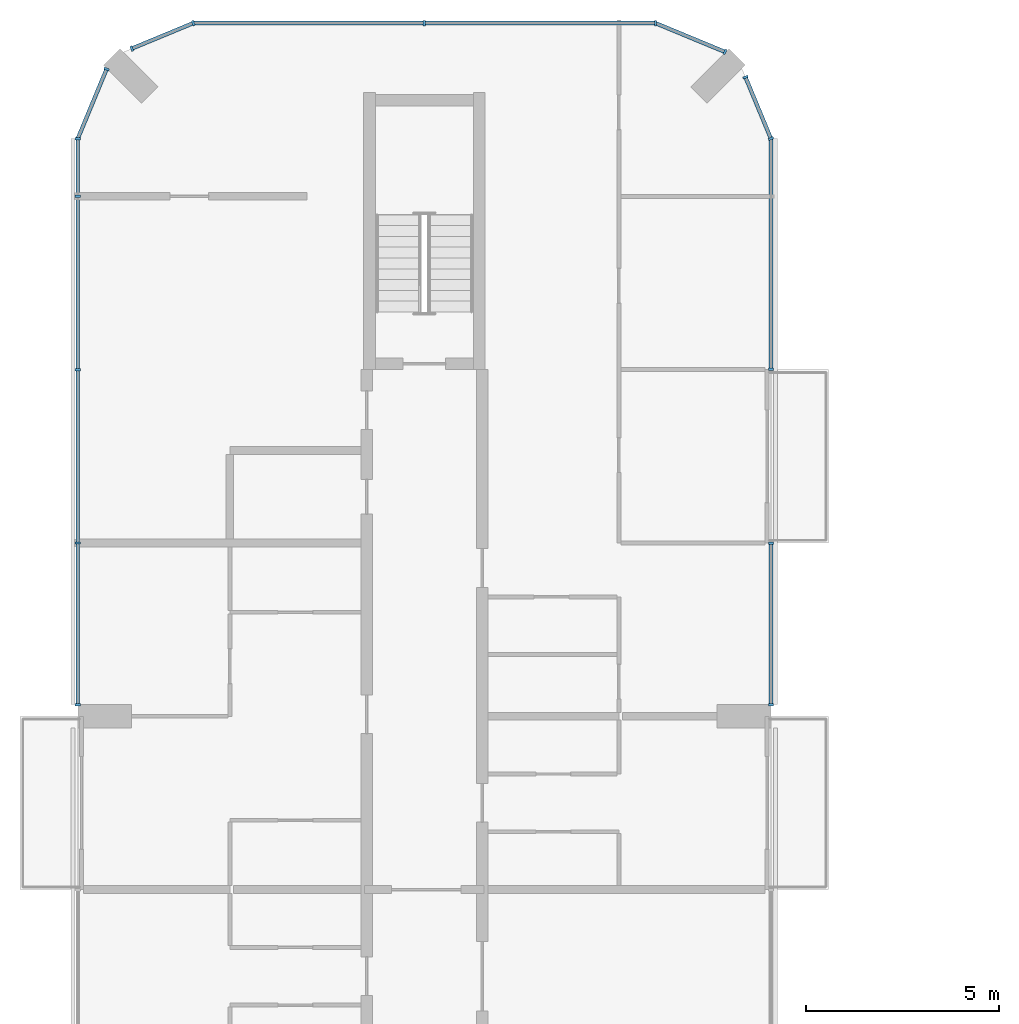
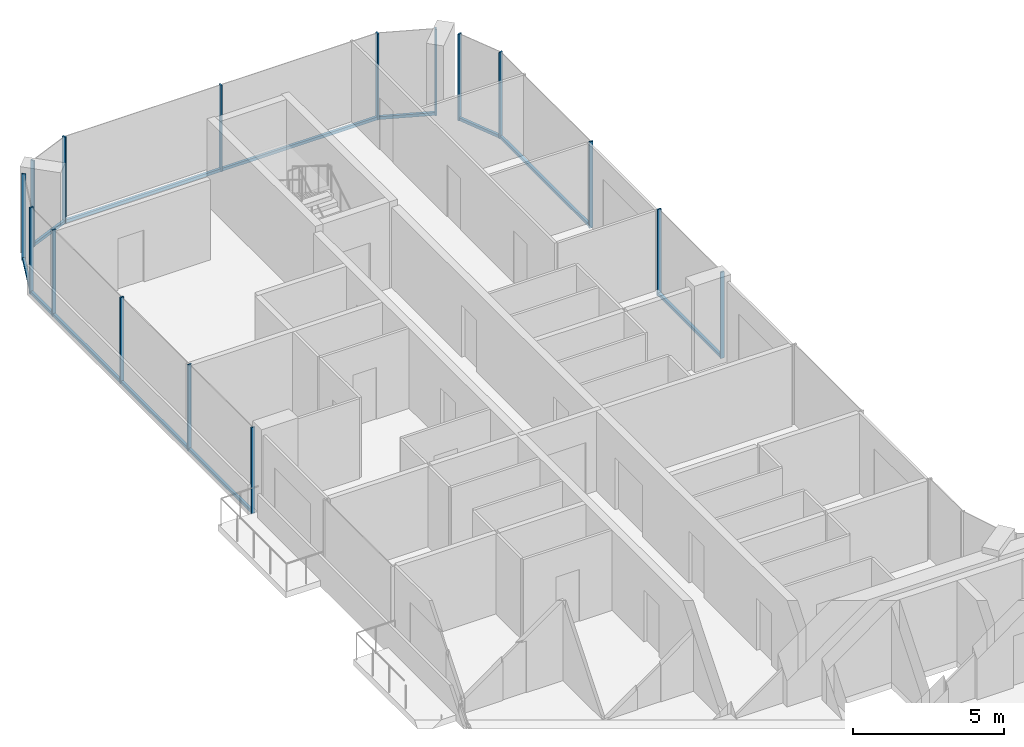
# One storey, part 7 of 17: 24 members, 8 elements without a shape of their own.
"""IFC4 building model written with IfcOpenShell, lengths in metres."""

from ifc_helpers import new_model, si_unit, direction, frame, origin, origin_2d, place, context, subcontext, project, spatial, rectangle, extrude, material, layer, layer_set, material_profile, profile_set, type_object, element, aggregate, save


model = new_model("IFC4")

# Units and contexts
model_context = context("Model", 3, precision=1e-05, world=origin(), true_north=direction((0.0, 1.0)))
body_context = subcontext(model_context, "Body", "Model", "MODEL_VIEW")
ifc_project = project(units=[si_unit("LENGTHUNIT", "METRE"), si_unit("AREAUNIT", "SQUARE_METRE"), si_unit("VOLUMEUNIT", "CUBIC_METRE"), si_unit("PLANEANGLEUNIT", "RADIAN"), si_unit("MASSUNIT", "GRAM", prefix="KILO")], contexts=[model_context])

# Site, building, storey
site_placement = place(None, origin())
site = spatial("IfcSite", under=ifc_project, at=site_placement, CompositionType="ELEMENT")
building_placement = place(site_placement, origin())
building = spatial("IfcBuilding", under=site, at=building_placement, Name="Plateau Cross Towers", CompositionType="ELEMENT")
storey_placement = place(building_placement, frame((0.0, 0.0, 142.89990234375)))
storey = spatial("IfcBuildingStorey", under=building, at=storey_placement, Name="L36", CompositionType="ELEMENT", Elevation=142.89990234375)

# Curtain wall, members
ifc_material_1 = material(Name="Dark low-iron glass", Category="glass")
ifc_layer = layer(ifc_material_1, 0.239990234375)
ifc_layer_set = layer_set([ifc_layer], Name="Dark low-iron glass")
curtain_wall_type = type_object("IfcCurtainWallType", Name="Curtain wall flush unitised CW-B", PredefinedType="NOTDEFINED", material=ifc_layer_set)
curtain_wall_1_placement = place(storey_placement, origin())
curtain_wall_1 = element("IfcCurtainWall", 1, at=curtain_wall_1_placement, inside=storey, type_object=curtain_wall_type, Name="ENV/A/L36/A180_363", PredefinedType="NOTDEFINED")
ifc_material_2 = material(Name="Black anodised aluminium", Category="aluminium")
ifc_material_profile_1 = material_profile(ifc_material_2, rectangle(XDim=0.06005859375, YDim=0.139892578125, at=origin_2d()), Name="MULLION 60x140")
ifc_profile_set_1 = profile_set([ifc_material_profile_1], Name="Black anodised aluminium")
member_type_1 = type_object("IfcMemberType", Name="Mullion 60x140 flush unitised", PredefinedType="MULLION", material=ifc_profile_set_1)
member_1_placement = place(storey_placement, frame((18.0, 36.300048828125, -0.25), z_axis=(0.0, 0.0, 1.0), x_axis=(0.0, 1.0, 0.0)))
member_1 = element("IfcMember", 2, at=member_1_placement, type_object=member_type_1, Name="CW-B mullion 1", PredefinedType="MULLION", context=body_context, shape_type="SweptSolid", body=[
    extrude(rectangle(XDim=0.06005859375, YDim=0.139892578125, at=origin_2d()), origin(), (0.0, 0.0, 1.0), 3.5),
])
member_2_placement = place(storey_placement, frame((18.0, 40.489990234375, -0.25), z_axis=(0.0, 0.0, 1.0), x_axis=(0.0, 1.0, 0.0)))
member_2 = element("IfcMember", 3, at=member_2_placement, type_object=member_type_1, Name="CW-B mullion 2", PredefinedType="MULLION", context=body_context, shape_type="SweptSolid", body=[
    extrude(rectangle(XDim=0.06005859375, YDim=0.139892578125, at=origin_2d()), origin(), (0.0, 0.0, 1.0), 3.5),
])

# Curtain wall, member
curtain_wall_2_placement = place(storey_placement, origin())
curtain_wall_2 = element("IfcCurtainWall", 4, at=curtain_wall_2_placement, inside=storey, type_object=curtain_wall_type, Name="ENV/A/L36/A180_450", PredefinedType="NOTDEFINED")
member_3_placement = place(storey_placement, frame((18.0, 45.010009765625, -0.25), z_axis=(0.0, 0.0, 1.0), x_axis=(0.0, 1.0, 0.0)))
member_3 = element("IfcMember", 5, at=member_3_placement, type_object=member_type_1, Name="CW-B mullion 1", PredefinedType="MULLION", context=body_context, shape_type="SweptSolid", body=[
    extrude(rectangle(XDim=0.06005859375, YDim=0.139892578125, at=origin_2d()), origin(), (0.0, 0.0, 1.0), 3.5),
])

# Curtain wall, members
curtain_wall_3_placement = place(storey_placement, origin())
curtain_wall_3 = element("IfcCurtainWall", 6, at=curtain_wall_3_placement, inside=storey, type_object=curtain_wall_type, Name="ENV/A/L36/A180_510", PredefinedType="NOTDEFINED")
member_4_placement = place(storey_placement, frame((18.0, 51.0, -0.25), z_axis=(0.0, 0.0, 1.0), x_axis=(-0.382683612978, 0.923879457699, 0.0)))
member_4 = element("IfcMember", 7, at=member_4_placement, type_object=member_type_1, Name="CW-B mullion 1", PredefinedType="MULLION", context=body_context, shape_type="SweptSolid", body=[
    extrude(rectangle(XDim=0.06005859375, YDim=0.139892578125, at=origin_2d()), origin(), (0.0, 0.0, 1.0), 3.5),
])
member_5_placement = place(storey_placement, frame((17.338623046875, 52.5966796875, -0.25), z_axis=(0.0, 0.0, 1.0), x_axis=(-0.382683612978, 0.923879457699, 0.0)))
member_5 = element("IfcMember", 8, at=member_5_placement, type_object=member_type_1, Name="CW-B mullion 2", PredefinedType="MULLION", context=body_context, shape_type="SweptSolid", body=[
    extrude(rectangle(XDim=0.06005859375, YDim=0.139892578125, at=origin_2d()), origin(), (0.0, 0.0, 1.0), 3.5),
])

# Curtain wall, member
curtain_wall_4_placement = place(storey_placement, origin())
curtain_wall_4 = element("IfcCurtainWall", 9, at=curtain_wall_4_placement, inside=storey, type_object=curtain_wall_type, Name="ENV/A/L36/A168_533", PredefinedType="NOTDEFINED")
member_6_placement = place(storey_placement, frame((16.805908203125, 53.251953125, -0.25), z_axis=(0.0, 0.0, 1.0), x_axis=(-0.923879457699, 0.382683612978, 0.0)))
member_6 = element("IfcMember", 10, at=member_6_placement, type_object=member_type_1, Name="CW-B mullion 1", PredefinedType="MULLION", context=body_context, shape_type="SweptSolid", body=[
    extrude(rectangle(XDim=0.06005859375, YDim=0.139892578125, at=origin_2d()), origin(), (0.0, 0.0, 1.0), 3.5),
])

# Curtain wall, members
curtain_wall_5_placement = place(storey_placement, origin())
curtain_wall_5 = element("IfcCurtainWall", 11, at=curtain_wall_5_placement, inside=storey, type_object=curtain_wall_type, Name="ENV/A/L36/A150_540", PredefinedType="NOTDEFINED")
member_7_placement = place(storey_placement, frame((15.0, 54.0, -0.25), z_axis=(0.0, 0.0, 1.0), x_axis=(-1.0, 0.0, 0.0)))
member_7 = element("IfcMember", 12, at=member_7_placement, type_object=member_type_1, Name="CW-B mullion 1", PredefinedType="MULLION", context=body_context, shape_type="SweptSolid", body=[
    extrude(rectangle(XDim=0.06005859375, YDim=0.139892578125, at=origin_2d()), origin(), (0.0, 0.0, 1.0), 3.5),
])
member_8_placement = place(storey_placement, frame((9.0, 54.0, -0.25), z_axis=(0.0, 0.0, 1.0), x_axis=(-1.0, 0.0, 0.0)))
member_8 = element("IfcMember", 13, at=member_8_placement, type_object=member_type_1, Name="CW-B mullion 2", PredefinedType="MULLION", context=body_context, shape_type="SweptSolid", body=[
    extrude(rectangle(XDim=0.06005859375, YDim=0.139892578125, at=origin_2d()), origin(), (0.0, 0.0, 1.0), 3.5),
])

curtain_wall_6_placement = place(storey_placement, origin())
curtain_wall_6 = element("IfcCurtainWall", 14, at=curtain_wall_6_placement, inside=storey, type_object=curtain_wall_type, Name="ENV/A/L36/A30_540", PredefinedType="NOTDEFINED")
member_9_placement = place(storey_placement, frame((3.0, 54.0, -0.25), z_axis=(0.0, 0.0, 1.0), x_axis=(-0.923879457699, -0.382683612978, 0.0)))
member_9 = element("IfcMember", 15, at=member_9_placement, type_object=member_type_1, Name="CW-B mullion 1", PredefinedType="MULLION", context=body_context, shape_type="SweptSolid", body=[
    extrude(rectangle(XDim=0.06005859375, YDim=0.139892578125, at=origin_2d()), origin(), (0.0, 0.0, 1.0), 3.5),
])
member_10_placement = place(storey_placement, frame((1.4033203125, 53.338623046875, -0.25), z_axis=(0.0, 0.0, 1.0), x_axis=(-0.923879457699, -0.382683612978, 0.0)))
member_10 = element("IfcMember", 16, at=member_10_placement, type_object=member_type_1, Name="CW-B mullion 2", PredefinedType="MULLION", context=body_context, shape_type="SweptSolid", body=[
    extrude(rectangle(XDim=0.06005859375, YDim=0.139892578125, at=origin_2d()), origin(), (0.0, 0.0, 1.0), 3.5),
])

# Curtain wall, member
curtain_wall_7_placement = place(storey_placement, origin())
curtain_wall_7 = element("IfcCurtainWall", 17, at=curtain_wall_7_placement, inside=storey, type_object=curtain_wall_type, Name="ENV/A/L36/A7_528", PredefinedType="NOTDEFINED")
member_11_placement = place(storey_placement, frame((0.748046875, 52.805908203125, -0.25), z_axis=(0.0, 0.0, 1.0), x_axis=(-0.382683612978, -0.923879457699, 0.0)))
member_11 = element("IfcMember", 18, at=member_11_placement, type_object=member_type_1, Name="CW-B mullion 1", PredefinedType="MULLION", context=body_context, shape_type="SweptSolid", body=[
    extrude(rectangle(XDim=0.06005859375, YDim=0.139892578125, at=origin_2d()), origin(), (0.0, 0.0, 1.0), 3.5),
])

# Curtain wall, members
curtain_wall_8_placement = place(storey_placement, origin())
curtain_wall_8 = element("IfcCurtainWall", 19, at=curtain_wall_8_placement, inside=storey, type_object=curtain_wall_type, Name="ENV/A/L36/A0_510", PredefinedType="NOTDEFINED")
member_12_placement = place(storey_placement, frame((0.0, 51.0, -0.25), z_axis=(0.0, 0.0, 1.0), x_axis=(0.0, -1.0, 0.0)))
member_12 = element("IfcMember", 20, at=member_12_placement, type_object=member_type_1, Name="CW-B mullion 1", PredefinedType="MULLION", context=body_context, shape_type="SweptSolid", body=[
    extrude(rectangle(XDim=0.06005859375, YDim=0.139892578125, at=origin_2d()), origin(), (0.0, 0.0, 1.0), 3.5),
])
member_13_placement = place(storey_placement, frame((0.0, 49.5, -0.25), z_axis=(0.0, 0.0, 1.0), x_axis=(0.0, -1.0, 0.0)))
member_13 = element("IfcMember", 21, at=member_13_placement, type_object=member_type_1, Name="CW-B mullion 2", PredefinedType="MULLION", context=body_context, shape_type="SweptSolid", body=[
    extrude(rectangle(XDim=0.06005859375, YDim=0.139892578125, at=origin_2d()), origin(), (0.0, 0.0, 1.0), 3.5),
])
member_14_placement = place(storey_placement, frame((0.0, 45.0, -0.25), z_axis=(0.0, 0.0, 1.0), x_axis=(0.0, -1.0, 0.0)))
member_14 = element("IfcMember", 22, at=member_14_placement, type_object=member_type_1, Name="CW-B mullion 3", PredefinedType="MULLION", context=body_context, shape_type="SweptSolid", body=[
    extrude(rectangle(XDim=0.06005859375, YDim=0.139892578125, at=origin_2d()), origin(), (0.0, 0.0, 1.0), 3.5),
])
member_15_placement = place(storey_placement, frame((0.0, 40.5, -0.25), z_axis=(0.0, 0.0, 1.0), x_axis=(0.0, -1.0, 0.0)))
member_15 = element("IfcMember", 23, at=member_15_placement, type_object=member_type_1, Name="CW-B mullion 4", PredefinedType="MULLION", context=body_context, shape_type="SweptSolid", body=[
    extrude(rectangle(XDim=0.06005859375, YDim=0.139892578125, at=origin_2d()), origin(), (0.0, 0.0, 1.0), 3.5),
])
member_16_placement = place(storey_placement, frame((0.0, 36.300048828125, -0.25), z_axis=(0.0, 0.0, 1.0), x_axis=(0.0, -1.0, 0.0)))
member_16 = element("IfcMember", 24, at=member_16_placement, type_object=member_type_1, Name="CW-B mullion 5", PredefinedType="MULLION", context=body_context, shape_type="SweptSolid", body=[
    extrude(rectangle(XDim=0.06005859375, YDim=0.139892578125, at=origin_2d()), origin(), (0.0, 0.0, 1.0), 3.5),
])

# Member
ifc_material_profile_2 = material_profile(ifc_material_2, rectangle(XDim=0.10009765625, YDim=0.1201171875, at=origin_2d()), Name="TRANSOM 100x120")
ifc_profile_set_2 = profile_set([ifc_material_profile_2], Name="Black anodised aluminium")
member_type_2 = type_object("IfcMemberType", Name="Transom 100x120 flush unitised", PredefinedType="USERDEFINED", material=ifc_profile_set_2)
member_17_placement = place(storey_placement, frame((18.0, 36.300048828125, -0.18994140625), z_axis=(0.0, 1.0, 0.0), x_axis=(-1.0, 0.0, 0.0)))
member_17 = element("IfcMember", 25, at=member_17_placement, type_object=member_type_2, Name="CW-B transom", ObjectType="TRANSOM", PredefinedType="USERDEFINED", context=body_context, shape_type="SweptSolid", body=[
    extrude(rectangle(XDim=0.10009765625, YDim=0.1201171875, at=origin_2d()), origin(), (0.0, 0.0, 1.0), 4.18994140625),
])

aggregate(curtain_wall_1, [member_1, member_2, member_17])

member_18_placement = place(storey_placement, frame((18.0, 45.010009765625, -0.18994140625), z_axis=(0.0, 1.0, 0.0), x_axis=(-1.0, 0.0, 0.0)))
member_18 = element("IfcMember", 26, at=member_18_placement, type_object=member_type_2, Name="CW-B transom", ObjectType="TRANSOM", PredefinedType="USERDEFINED", context=body_context, shape_type="SweptSolid", body=[
    extrude(rectangle(XDim=0.10009765625, YDim=0.1201171875, at=origin_2d()), origin(), (0.0, 0.0, 1.0), 5.989990234375),
])

aggregate(curtain_wall_2, [member_3, member_18])

member_19_placement = place(storey_placement, frame((18.0, 51.0, -0.18994140625), z_axis=(-0.382688653628, 0.923877369776, 0.0), x_axis=(-0.923877369776, -0.382688653628, 0.0)))
member_19 = element("IfcMember", 27, at=member_19_placement, type_object=member_type_2, Name="CW-B transom", ObjectType="TRANSOM", PredefinedType="USERDEFINED", context=body_context, shape_type="SweptSolid", body=[
    extrude(rectangle(XDim=0.10009765625, YDim=0.1201171875, at=origin_2d()), origin(), (0.0, 0.0, 1.0), 1.728271484375),
])

aggregate(curtain_wall_3, [member_4, member_5, member_19])

member_20_placement = place(storey_placement, frame((16.805908203125, 53.251953125, -0.18994140625), z_axis=(-0.92387678234, 0.382690071798, 0.0), x_axis=(-0.382690071798, -0.92387678234, 0.0)))
member_20 = element("IfcMember", 28, at=member_20_placement, type_object=member_type_2, Name="CW-B transom", ObjectType="TRANSOM", PredefinedType="USERDEFINED", context=body_context, shape_type="SweptSolid", body=[
    extrude(rectangle(XDim=0.10009765625, YDim=0.1201171875, at=origin_2d()), origin(), (0.0, 0.0, 1.0), 1.95458984375),
])

aggregate(curtain_wall_4, [member_6, member_20])

member_21_placement = place(storey_placement, frame((15.0, 54.0, -0.18994140625), z_axis=(-1.0, 0.0, 0.0), x_axis=(0.0, -1.0, 0.0)))
member_21 = element("IfcMember", 29, at=member_21_placement, type_object=member_type_2, Name="CW-B transom", ObjectType="TRANSOM", PredefinedType="USERDEFINED", context=body_context, shape_type="SweptSolid", body=[
    extrude(rectangle(XDim=0.10009765625, YDim=0.1201171875, at=origin_2d()), origin(), (0.0, 0.0, 1.0), 12.0),
])

aggregate(curtain_wall_5, [member_7, member_8, member_21])

member_22_placement = place(storey_placement, frame((3.0, 54.0, -0.18994140625), z_axis=(-0.923877369776, -0.382688653628, 0.0), x_axis=(0.382688653628, -0.923877369776, 0.0)))
member_22 = element("IfcMember", 30, at=member_22_placement, type_object=member_type_2, Name="CW-B transom", ObjectType="TRANSOM", PredefinedType="USERDEFINED", context=body_context, shape_type="SweptSolid", body=[
    extrude(rectangle(XDim=0.10009765625, YDim=0.1201171875, at=origin_2d()), origin(), (0.0, 0.0, 1.0), 1.728271484375),
])

aggregate(curtain_wall_6, [member_9, member_10, member_22])

member_23_placement = place(storey_placement, frame((0.748046875, 52.805908203125, -0.18994140625), z_axis=(-0.382690071798, -0.92387678234, 0.0), x_axis=(0.92387678234, -0.382690071798, 0.0)))
member_23 = element("IfcMember", 31, at=member_23_placement, type_object=member_type_2, Name="CW-B transom", ObjectType="TRANSOM", PredefinedType="USERDEFINED", context=body_context, shape_type="SweptSolid", body=[
    extrude(rectangle(XDim=0.10009765625, YDim=0.1201171875, at=origin_2d()), origin(), (0.0, 0.0, 1.0), 1.95458984375),
])

aggregate(curtain_wall_7, [member_11, member_23])

member_24_placement = place(storey_placement, frame((0.0, 51.0, -0.18994140625), z_axis=(0.0, -1.0, 0.0), x_axis=(1.0, 0.0, 0.0)))
member_24 = element("IfcMember", 32, at=member_24_placement, type_object=member_type_2, Name="CW-B transom", ObjectType="TRANSOM", PredefinedType="USERDEFINED", context=body_context, shape_type="SweptSolid", body=[
    extrude(rectangle(XDim=0.10009765625, YDim=0.1201171875, at=origin_2d()), origin(), (0.0, 0.0, 1.0), 14.699951171875),
])

aggregate(curtain_wall_8, [member_12, member_13, member_14, member_15, member_16, member_24])

save(model, "model.ifc")
